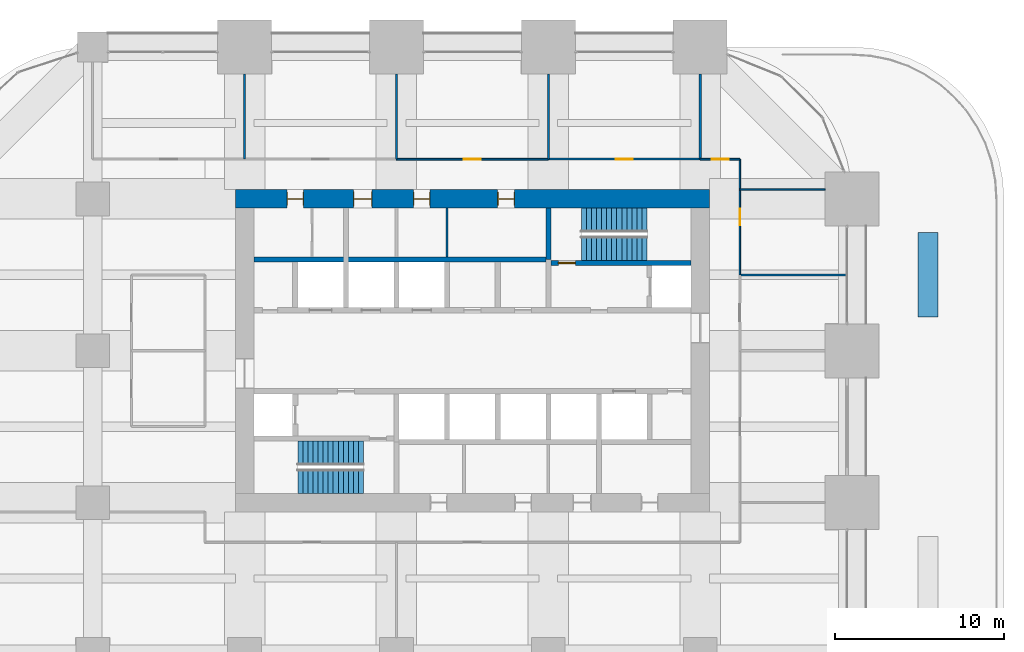
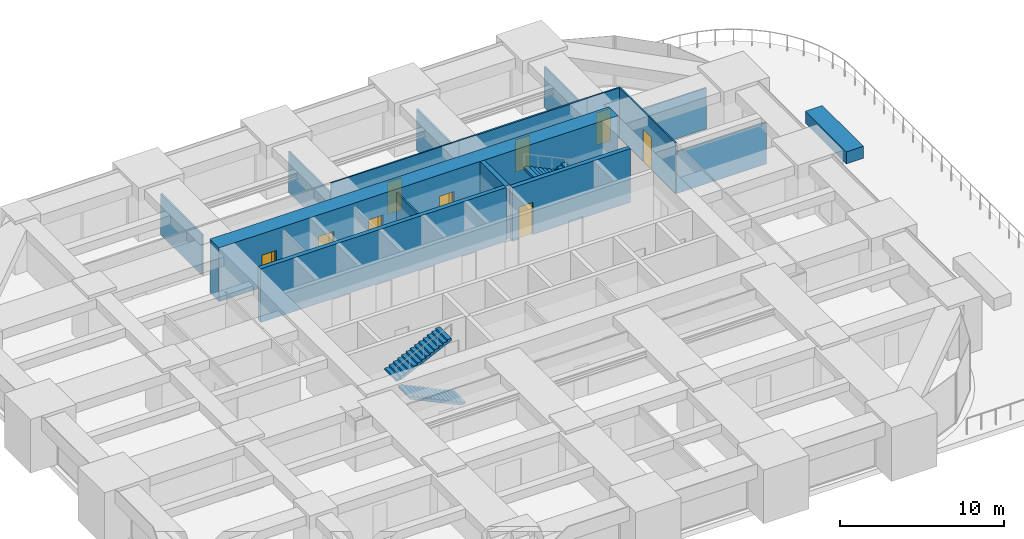
# One storey, part 33 of 35: 16 walls, 9 doors, 4 stair flights, 9 openings, 2 elements without a shape of their own.
"""IFC4 building model written with IfcOpenShell, lengths in metres."""

from ifc_helpers import new_model, si_unit, direction, frame, frame_2d, origin, place, context, subcontext, project, spatial, polyline, rectangle, outline, extrude, material, layer, layer_set, type_object, element, fill, aggregate, save


model = new_model("IFC4")

# Units and contexts
model_context = context("Model", 3, precision=1e-05, world=origin(), true_north=direction((0.0, 1.0)))
body_context = subcontext(model_context, "Body", "Model", "MODEL_VIEW")
ifc_project = project(units=[si_unit("LENGTHUNIT", "METRE"), si_unit("AREAUNIT", "SQUARE_METRE"), si_unit("VOLUMEUNIT", "CUBIC_METRE"), si_unit("PLANEANGLEUNIT", "RADIAN"), si_unit("MASSUNIT", "GRAM", prefix="KILO")], contexts=[model_context])

# Site, building, storey
site_placement = place(None, origin())
site = spatial("IfcSite", under=ifc_project, at=site_placement, CompositionType="ELEMENT")
building_placement = place(site_placement, origin())
building = spatial("IfcBuilding", under=site, at=building_placement, Name="Zorevar Civic Tower", CompositionType="ELEMENT")
storey_placement = place(building_placement, frame((0.0, 0.0, 162.199951171875)))
storey = spatial("IfcBuildingStorey", under=building, at=storey_placement, Name="L39", CompositionType="ELEMENT", Elevation=162.199951171875)

# Wall, openings, doors
ifc_material_1 = material(Name="Concrete C50/60", Category="concrete")
ifc_layer_1 = layer(ifc_material_1, 1.10009765625)
ifc_layer_set_1 = layer_set([ifc_layer_1], Name="Core wall 1100")
wall_type_1 = type_object("IfcWallType", Name="Core wall 1100", PredefinedType="SHEAR", material=ifc_layer_set_1)
wall_1_placement = place(storey_placement, frame((45.550048828125, 36.0, 0.0), z_axis=(0.0, 0.0, 1.0), x_axis=(-1.0, 0.0, 0.0)))
wall_1 = element("IfcWall", 1, at=wall_1_placement, inside=storey, type_object=wall_type_1, Name="Core wall N L39", PredefinedType="SHEAR", context=body_context, shape_type="SweptSolid", body=[
    extrude(rectangle(XDim=28.10009765625, YDim=1.10009765625, at=frame_2d((14.050048828125, 0.0))), origin(), (0.0, 0.0, 1.0), 4.0),
])
opening_1_placement = place(wall_1_placement, frame((11.550048828125, 0.0, 0.0)))
opening_1 = element("IfcOpeningElement", 2, at=opening_1_placement, cuts=wall_1, Name="Opening L39.07", PredefinedType="OPENING", context=body_context, shape_type="SweptSolid", body=[
    extrude(rectangle(XDim=1.0, YDim=2.39990234375, at=frame_2d((0.5, 1.199951171875))), frame((0.0, 0.56005859375, 0.0), z_axis=(0.0, -1.0, 0.0), x_axis=(1.0, 0.0, 0.0)), (0.0, 0.0, 1.0), 1.1201171875),
])
opening_2_placement = place(wall_1_placement, frame((16.550048828125, 0.0, 0.0)))
opening_2 = element("IfcOpeningElement", 3, at=opening_2_placement, cuts=wall_1, Name="Opening L39.08", PredefinedType="OPENING", context=body_context, shape_type="SweptSolid", body=[
    extrude(rectangle(XDim=1.0, YDim=2.39990234375, at=frame_2d((0.5, 1.199951171875))), frame((0.0, 0.56005859375, 0.0), z_axis=(0.0, -1.0, 0.0), x_axis=(1.0, 0.0, 0.0)), (0.0, 0.0, 1.0), 1.1201171875),
])
opening_3_placement = place(wall_1_placement, frame((20.0, 0.0, 0.0)))
opening_3 = element("IfcOpeningElement", 4, at=opening_3_placement, cuts=wall_1, Name="Opening L39.09", PredefinedType="OPENING", context=body_context, shape_type="SweptSolid", body=[
    extrude(rectangle(XDim=1.10009765625, YDim=2.39990234375, at=frame_2d((0.550048828125, 1.199951171875))), frame((0.0, 0.56005859375, 0.0), z_axis=(0.0, -1.0, 0.0), x_axis=(1.0, 0.0, 0.0)), (0.0, 0.0, 1.0), 1.1201171875),
])
opening_4_placement = place(wall_1_placement, frame((24.050048828125, 0.0, 0.0)))
opening_4 = element("IfcOpeningElement", 5, at=opening_4_placement, cuts=wall_1, Name="Opening L39.10", PredefinedType="OPENING", context=body_context, shape_type="SweptSolid", body=[
    extrude(rectangle(XDim=1.0, YDim=2.39990234375, at=frame_2d((0.5, 1.199951171875))), frame((0.0, 0.56005859375, 0.0), z_axis=(0.0, -1.0, 0.0), x_axis=(1.0, 0.0, 0.0)), (0.0, 0.0, 1.0), 1.1201171875),
])
ifc_material_2 = material(Name="Timber door set", Category="wood")
door_type_1 = type_object("IfcDoorType", Name="Door D1 1000x2400", OperationType="SINGLE_SWING_LEFT", PredefinedType="DOOR", material=ifc_material_2)
door_1_placement = place(opening_1_placement, origin())
door_1 = element("IfcDoor", 6, at=door_1_placement, inside=storey, type_object=door_type_1, Name="Door L39 06", OperationType="SINGLE_SWING_RIGHT", OverallHeight=2.39990234375, OverallWidth=1.0, PredefinedType="DOOR", context=body_context, shape_type="SweptSolid", body=[
    extrude(rectangle(XDim=1.0, YDim=2.39990234375, at=frame_2d((0.5, 1.199951171875))), frame((0.0, 0.02490234375, 0.0), z_axis=(0.0, -1.0, 0.0), x_axis=(1.0, 0.0, 0.0)), (0.0, 0.0, 1.0), 0.050048828125),
    extrude(rectangle(XDim=0.04, YDim=2.39990234375, at=frame_2d((0.02001953125, 1.199951171875))), frame((0.0, 0.39990234375, 0.0), z_axis=(0.0, -1.0, 0.0), x_axis=(1.0, 0.0, 0.0)), (0.0, 0.0, 1.0), 0.800048828125),
    extrude(rectangle(XDim=0.04, YDim=2.39990234375, at=frame_2d((0.97998046875, 1.199951171875))), frame((0.0, 0.39990234375, 0.0), z_axis=(0.0, -1.0, 0.0), x_axis=(1.0, 0.0, 0.0)), (0.0, 0.0, 1.0), 0.800048828125),
    extrude(rectangle(XDim=1.0, YDim=0.04, at=frame_2d((0.5, 2.3798828125))), frame((0.0, 0.39990234375, 0.0), z_axis=(0.0, -1.0, 0.0), x_axis=(1.0, 0.0, 0.0)), (0.0, 0.0, 1.0), 0.800048828125),
])
fill(opening_1, door_1)
door_2_placement = place(opening_2_placement, origin())
door_2 = element("IfcDoor", 7, at=door_2_placement, inside=storey, type_object=door_type_1, Name="Door L39 07", OperationType="SINGLE_SWING_LEFT", OverallHeight=2.39990234375, OverallWidth=1.0, PredefinedType="DOOR", context=body_context, shape_type="SweptSolid", body=[
    extrude(rectangle(XDim=1.0, YDim=2.39990234375, at=frame_2d((0.5, 1.199951171875))), frame((0.0, 0.02490234375, 0.0), z_axis=(0.0, -1.0, 0.0), x_axis=(1.0, 0.0, 0.0)), (0.0, 0.0, 1.0), 0.050048828125),
    extrude(rectangle(XDim=0.04, YDim=2.39990234375, at=frame_2d((0.02001953125, 1.199951171875))), frame((0.0, 0.39990234375, 0.0), z_axis=(0.0, -1.0, 0.0), x_axis=(1.0, 0.0, 0.0)), (0.0, 0.0, 1.0), 0.800048828125),
    extrude(rectangle(XDim=0.04, YDim=2.39990234375, at=frame_2d((0.97998046875, 1.199951171875))), frame((0.0, 0.39990234375, 0.0), z_axis=(0.0, -1.0, 0.0), x_axis=(1.0, 0.0, 0.0)), (0.0, 0.0, 1.0), 0.800048828125),
    extrude(rectangle(XDim=1.0, YDim=0.04, at=frame_2d((0.5, 2.3798828125))), frame((0.0, 0.39990234375, 0.0), z_axis=(0.0, -1.0, 0.0), x_axis=(1.0, 0.0, 0.0)), (0.0, 0.0, 1.0), 0.800048828125),
])
fill(opening_2, door_2)
door_3_placement = place(opening_4_placement, origin())
door_3 = element("IfcDoor", 8, at=door_3_placement, inside=storey, type_object=door_type_1, Name="Door L39 09", OperationType="SINGLE_SWING_LEFT", OverallHeight=2.39990234375, OverallWidth=1.0, PredefinedType="DOOR", context=body_context, shape_type="SweptSolid", body=[
    extrude(rectangle(XDim=1.0, YDim=2.39990234375, at=frame_2d((0.5, 1.199951171875))), frame((0.0, 0.02490234375, 0.0), z_axis=(0.0, -1.0, 0.0), x_axis=(1.0, 0.0, 0.0)), (0.0, 0.0, 1.0), 0.050048828125),
    extrude(rectangle(XDim=0.04, YDim=2.39990234375, at=frame_2d((0.02001953125, 1.199951171875))), frame((0.0, 0.39990234375, 0.0), z_axis=(0.0, -1.0, 0.0), x_axis=(1.0, 0.0, 0.0)), (0.0, 0.0, 1.0), 0.800048828125),
    extrude(rectangle(XDim=0.04, YDim=2.39990234375, at=frame_2d((0.97998046875, 1.199951171875))), frame((0.0, 0.39990234375, 0.0), z_axis=(0.0, -1.0, 0.0), x_axis=(1.0, 0.0, 0.0)), (0.0, 0.0, 1.0), 0.800048828125),
    extrude(rectangle(XDim=1.0, YDim=0.04, at=frame_2d((0.5, 2.3798828125))), frame((0.0, 0.39990234375, 0.0), z_axis=(0.0, -1.0, 0.0), x_axis=(1.0, 0.0, 0.0)), (0.0, 0.0, 1.0), 0.800048828125),
])
fill(opening_4, door_3)
ifc_material_3 = material(Name="Timber door set", Category="wood")
door_type_2 = type_object("IfcDoorType", Name="Door D5 1100x2400", OperationType="SINGLE_SWING_LEFT", PredefinedType="DOOR", material=ifc_material_3)
door_4_placement = place(opening_3_placement, origin())
door_4 = element("IfcDoor", 9, at=door_4_placement, inside=storey, type_object=door_type_2, Name="Door L39 08", OperationType="SINGLE_SWING_LEFT", OverallHeight=2.39990234375, OverallWidth=1.10009765625, PredefinedType="DOOR", context=body_context, shape_type="SweptSolid", body=[
    extrude(rectangle(XDim=1.10009765625, YDim=2.39990234375, at=frame_2d((0.550048828125, 1.199951171875))), frame((0.0, 0.02490234375, 0.0), z_axis=(0.0, -1.0, 0.0), x_axis=(1.0, 0.0, 0.0)), (0.0, 0.0, 1.0), 0.050048828125),
    extrude(rectangle(XDim=0.04, YDim=2.39990234375, at=frame_2d((0.02001953125, 1.199951171875))), frame((0.0, 0.43994140625, 0.0), z_axis=(0.0, -1.0, 0.0), x_axis=(1.0, 0.0, 0.0)), (0.0, 0.0, 1.0), 0.880126953125),
    extrude(rectangle(XDim=0.04, YDim=2.39990234375, at=frame_2d((1.080078125, 1.199951171875))), frame((0.0, 0.43994140625, 0.0), z_axis=(0.0, -1.0, 0.0), x_axis=(1.0, 0.0, 0.0)), (0.0, 0.0, 1.0), 0.880126953125),
    extrude(rectangle(XDim=1.10009765625, YDim=0.04, at=frame_2d((0.550048828125, 2.3798828125))), frame((0.0, 0.43994140625, 0.0), z_axis=(0.0, -1.0, 0.0), x_axis=(1.0, 0.0, 0.0)), (0.0, 0.0, 1.0), 0.880126953125),
])
fill(opening_3, door_4)

# Wall
ifc_material_4 = material(Name="Laminated glass in black aluminium frame", Category="aluminium")
ifc_layer_2 = layer(ifc_material_4, 0.10009765625)
ifc_layer_set_2 = layer_set([ifc_layer_2], Name="Glazed partition 100")
wall_type_2 = type_object("IfcWallType", Name="Glazed partition 100", PredefinedType="PARTITIONING", material=ifc_layer_set_2)
wall_2_placement = place(storey_placement, frame((47.35009765625, 36.550048828125, 0.0), z_axis=(0.0, 0.0, 1.0), x_axis=(1.0, 0.0, 0.0)))
element("IfcWall", 10, at=wall_2_placement, inside=storey, type_object=wall_type_2, Name="Glazed partition 100 L39", PredefinedType="PARTITIONING", context=body_context, shape_type="SweptSolid", body=[
    extrude(rectangle(XDim=5.0498046875, YDim=0.10009765625, at=frame_2d((2.52490234375, 0.0))), origin(), (0.0, 0.0, 1.0), 3.050048828125),
])

# Wall, opening, door
wall_3_placement = place(storey_placement, frame((27.0, 38.35009765625, 0.0), z_axis=(0.0, 0.0, 1.0), x_axis=(1.0, 0.0, 0.0)))
wall_3 = element("IfcWall", 11, at=wall_3_placement, inside=storey, type_object=wall_type_2, Name="Glazed partition 100 L39", PredefinedType="PARTITIONING", context=body_context, shape_type="SweptSolid", body=[
    extrude(rectangle(XDim=9.0, YDim=0.10009765625, at=frame_2d((4.5, 0.0))), origin(), (0.0, 0.0, 1.0), 3.75),
])
opening_5_placement = place(wall_3_placement, frame((4.0, 0.0, 0.0)))
opening_5 = element("IfcOpeningElement", 12, at=opening_5_placement, cuts=wall_3, Name="Opening L39.27", PredefinedType="OPENING", context=body_context, shape_type="SweptSolid", body=[
    extrude(rectangle(XDim=1.0, YDim=2.39990234375, at=frame_2d((0.5, 1.199951171875))), frame((0.0, 0.06005859375, 0.0), z_axis=(0.0, -1.0, 0.0), x_axis=(1.0, 0.0, 0.0)), (0.0, 0.0, 1.0), 0.1201171875),
])
ifc_material_5 = material(Name="Timber door set", Category="wood")
door_type_3 = type_object("IfcDoorType", Name="Glazed door GD1 1000x2400", OperationType="SINGLE_SWING_LEFT", PredefinedType="DOOR", material=ifc_material_5)
door_5_placement = place(opening_5_placement, origin())
door_5 = element("IfcDoor", 13, at=door_5_placement, inside=storey, type_object=door_type_3, Name="Door L39 D1", OperationType="SINGLE_SWING_RIGHT", OverallHeight=2.39990234375, OverallWidth=1.0, PredefinedType="DOOR", context=body_context, shape_type="SweptSolid", body=[
    extrude(rectangle(XDim=1.0, YDim=2.39990234375, at=frame_2d((0.5, 1.199951171875))), frame((0.0, 0.02001953125, 0.0), z_axis=(0.0, -1.0, 0.0), x_axis=(1.0, 0.0, 0.0)), (0.0, 0.0, 1.0), 0.0400390625),
])
fill(opening_5, door_5)

wall_4_placement = place(storey_placement, frame((45.0, 38.35009765625, 0.0), z_axis=(0.0, 0.0, 1.0), x_axis=(1.0, 0.0, 0.0)))
wall_4 = element("IfcWall", 14, at=wall_4_placement, inside=storey, type_object=wall_type_2, Name="Glazed partition 100 L39", PredefinedType="PARTITIONING", context=body_context, shape_type="SweptSolid", body=[
    extrude(rectangle(XDim=2.35009765625, YDim=0.10009765625, at=frame_2d((1.175048828125, 0.0))), origin(), (0.0, 0.0, 1.0), 3.75),
])
opening_6_placement = place(wall_4_placement, frame((0.675048828125, 0.0, 0.0)))
opening_6 = element("IfcOpeningElement", 15, at=opening_6_placement, cuts=wall_4, Name="Opening L39.28", PredefinedType="OPENING", context=body_context, shape_type="SweptSolid", body=[
    extrude(rectangle(XDim=1.0, YDim=2.39990234375, at=frame_2d((0.5, 1.199951171875))), frame((0.0, 0.06005859375, 0.0), z_axis=(0.0, -1.0, 0.0), x_axis=(1.0, 0.0, 0.0)), (0.0, 0.0, 1.0), 0.1201171875),
])
door_6_placement = place(opening_6_placement, origin())
door_6 = element("IfcDoor", 16, at=door_6_placement, inside=storey, type_object=door_type_3, Name="Door L39 D1", OperationType="SINGLE_SWING_RIGHT", OverallHeight=2.39990234375, OverallWidth=1.0, PredefinedType="DOOR", context=body_context, shape_type="SweptSolid", body=[
    extrude(rectangle(XDim=1.0, YDim=2.39990234375, at=frame_2d((0.5, 1.199951171875))), frame((0.0, 0.02001953125, 0.0), z_axis=(0.0, -1.0, 0.0), x_axis=(1.0, 0.0, 0.0)), (0.0, 0.0, 1.0), 0.0400390625),
])
fill(opening_6, door_6)

wall_5_placement = place(storey_placement, frame((47.35009765625, 31.5, 0.0), z_axis=(0.0, 0.0, 1.0), x_axis=(0.0, 1.0, 0.0)))
wall_5 = element("IfcWall", 17, at=wall_5_placement, inside=storey, type_object=wall_type_2, Name="Glazed partition 100 L39", PredefinedType="PARTITIONING", context=body_context, shape_type="SweptSolid", body=[
    extrude(rectangle(XDim=6.85009765625, YDim=0.10009765625, at=frame_2d((3.425048828125, 0.0))), origin(), (0.0, 0.0, 1.0), 3.75),
])
opening_7_placement = place(wall_5_placement, frame((2.925048828125, 0.0, 0.0)))
opening_7 = element("IfcOpeningElement", 18, at=opening_7_placement, cuts=wall_5, Name="Opening L39.33", PredefinedType="OPENING", context=body_context, shape_type="SweptSolid", body=[
    extrude(rectangle(XDim=1.0, YDim=2.39990234375, at=frame_2d((0.5, 1.199951171875))), frame((0.0, 0.06005859375, 0.0), z_axis=(0.0, -1.0, 0.0), x_axis=(1.0, 0.0, 0.0)), (0.0, 0.0, 1.0), 0.1201171875),
])
door_7_placement = place(opening_7_placement, origin())
door_7 = element("IfcDoor", 19, at=door_7_placement, inside=storey, type_object=door_type_3, Name="Door L39 D1", OperationType="SINGLE_SWING_RIGHT", OverallHeight=2.39990234375, OverallWidth=1.0, PredefinedType="DOOR", context=body_context, shape_type="SweptSolid", body=[
    extrude(rectangle(XDim=1.0, YDim=2.39990234375, at=frame_2d((0.5, 1.199951171875))), frame((0.0, 0.02001953125, 0.0), z_axis=(0.0, -1.0, 0.0), x_axis=(1.0, 0.0, 0.0)), (0.0, 0.0, 1.0), 0.0400390625),
])
fill(opening_7, door_7)

ifc_material_6 = material(Name="Concrete C40/50", Category="concrete")
ifc_layer_3 = layer(ifc_material_6, 0.300048828125)
ifc_layer_set_3 = layer_set([ifc_layer_3], Name="Inner core wall 300")
wall_type_3 = type_object("IfcWallType", Name="Inner core wall 300", PredefinedType="SHEAR", material=ifc_layer_set_3)
wall_6_placement = place(storey_placement, frame((36.14990234375, 32.199951171875, 0.0), z_axis=(0.0, 0.0, 1.0), x_axis=(1.0, 0.0, 0.0)))
wall_6 = element("IfcWall", 20, at=wall_6_placement, inside=storey, type_object=wall_type_3, Name="Inner core wall N00 L39", PredefinedType="SHEAR", context=body_context, shape_type="SweptSolid", body=[
    extrude(rectangle(XDim=8.300048828125, YDim=0.300048828125, at=frame_2d((4.14990234375, 0.0))), origin(), (0.0, 0.0, 1.0), 4.0),
])
opening_8_placement = place(wall_6_placement, frame((0.449951171875, 0.0, 0.0)))
opening_8 = element("IfcOpeningElement", 21, at=opening_8_placement, cuts=wall_6, Name="Opening L39.12", PredefinedType="OPENING", context=body_context, shape_type="SweptSolid", body=[
    extrude(rectangle(XDim=1.0, YDim=2.39990234375, at=frame_2d((0.5, 1.199951171875))), frame((0.0, 0.159912109375, 0.0), z_axis=(0.0, -1.0, 0.0), x_axis=(1.0, 0.0, 0.0)), (0.0, 0.0, 1.0), 0.320068359375),
])
ifc_material_7 = material(Name="Steel door set", Category="steel")
door_type_4 = type_object("IfcDoorType", Name="Fire door FD1 1000x2400", OperationType="SINGLE_SWING_LEFT", PredefinedType="DOOR", material=ifc_material_7)
door_8_placement = place(opening_8_placement, origin())
door_8 = element("IfcDoor", 22, at=door_8_placement, inside=storey, type_object=door_type_4, Name="Door L39 11", OperationType="SINGLE_SWING_RIGHT", OverallHeight=2.39990234375, OverallWidth=1.0, PredefinedType="DOOR", context=body_context, shape_type="SweptSolid", body=[
    extrude(rectangle(XDim=1.0, YDim=2.39990234375, at=frame_2d((0.5, 1.199951171875))), frame((0.0, 0.030029296875, 0.0), z_axis=(0.0, -1.0, 0.0), x_axis=(1.0, 0.0, 0.0)), (0.0, 0.0, 1.0), 0.06005859375),
])
fill(opening_8, door_8)

# Walls
wall_7_placement = place(storey_placement, frame((36.0, 32.39990234375, 0.0), z_axis=(0.0, 0.0, 1.0), x_axis=(0.0, 1.0, 0.0)))
element("IfcWall", 23, at=wall_7_placement, inside=storey, type_object=wall_type_3, Name="Inner core wall N01 L39", PredefinedType="SHEAR", context=body_context, shape_type="SweptSolid", body=[
    extrude(rectangle(XDim=3.050048828125, YDim=0.300048828125, at=frame_2d((1.52490234375, 0.0))), origin(), (0.0, 0.0, 1.0), 4.0),
])
wall_8_placement = place(storey_placement, frame((18.550048828125, 32.39990234375, 0.0), z_axis=(0.0, 0.0, 1.0), x_axis=(1.0, 0.0, 0.0)))
element("IfcWall", 24, at=wall_8_placement, inside=storey, type_object=wall_type_3, Name="Inner core wall N04 L39", PredefinedType="SHEAR", context=body_context, shape_type="SweptSolid", body=[
    extrude(rectangle(XDim=17.300048828125, YDim=0.300048828125, at=frame_2d((8.64990234375, 0.0))), origin(), (0.0, 0.0, 1.0), 4.0),
])
ifc_material_8 = material(Name="Gypsum board on steel studs", Category="steel")
ifc_layer_4 = layer(ifc_material_8, 0.1201171875)
ifc_layer_set_4 = layer_set([ifc_layer_4], Name="Partition 120")
wall_type_4 = type_object("IfcWallType", Name="Partition 120", PredefinedType="PARTITIONING", material=ifc_layer_set_4)
wall_9_placement = place(storey_placement, frame((47.35009765625, 31.5, 0.0), z_axis=(0.0, 0.0, 1.0), x_axis=(1.0, 0.0, 0.0)))
element("IfcWall", 25, at=wall_9_placement, inside=storey, type_object=wall_type_4, Name="Partition 120 L39", PredefinedType="PARTITIONING", context=body_context, shape_type="SweptSolid", body=[
    extrude(rectangle(XDim=6.33984375, YDim=0.1201171875, at=frame_2d((3.169921875, 0.0))), origin(), (0.0, 0.0, 1.0), 3.10009765625),
])

# Wall, opening, door
wall_10_placement = place(storey_placement, frame((36.0, 38.35009765625, 0.0), z_axis=(0.0, 0.0, 1.0), x_axis=(1.0, 0.0, 0.0)))
wall_10 = element("IfcWall", 26, at=wall_10_placement, inside=storey, type_object=wall_type_4, Name="Partition 120 L39", PredefinedType="PARTITIONING", context=body_context, shape_type="SweptSolid", body=[
    extrude(rectangle(XDim=9.0, YDim=0.1201171875, at=frame_2d((4.5, 0.0))), origin(), (0.0, 0.0, 1.0), 3.75),
])
opening_9_placement = place(wall_10_placement, frame((4.0, 0.0, 0.0)))
opening_9 = element("IfcOpeningElement", 27, at=opening_9_placement, cuts=wall_10, Name="Opening L39.26", PredefinedType="OPENING", context=body_context, shape_type="SweptSolid", body=[
    extrude(rectangle(XDim=1.0, YDim=2.39990234375, at=frame_2d((0.5, 1.199951171875))), frame((0.0, 0.070068359375, 0.0), z_axis=(0.0, -1.0, 0.0), x_axis=(1.0, 0.0, 0.0)), (0.0, 0.0, 1.0), 0.14013671875),
])
door_9_placement = place(opening_9_placement, origin())
door_9 = element("IfcDoor", 28, at=door_9_placement, inside=storey, type_object=door_type_1, Name="Door L39 D1", OperationType="SINGLE_SWING_LEFT", OverallHeight=2.39990234375, OverallWidth=1.0, PredefinedType="DOOR", context=body_context, shape_type="SweptSolid", body=[
    extrude(rectangle(XDim=1.0, YDim=2.39990234375, at=frame_2d((0.5, 1.199951171875))), frame((0.0, 0.02490234375, 0.0), z_axis=(0.0, -1.0, 0.0), x_axis=(1.0, 0.0, 0.0)), (0.0, 0.0, 1.0), 0.050048828125),
])
fill(opening_9, door_9)

# Walls
for number, where, z_axis, x_axis, name in (
    (29, (18.0, 38.35009765625, 0.0), (0.0, 0.0, 1.0), (0.0, 1.0, 0.0), "Partition 120 L39"),
    (30, (27.0, 38.35009765625, 0.0), (0.0, 0.0, 1.0), (0.0, 1.0, 0.0), "Partition 120 L39"),
    (31, (36.0, 38.35009765625, 0.0), (0.0, 0.0, 1.0), (0.0, 1.0, 0.0), "Partition 120 L39"),
    (32, (45.0, 38.35009765625, 0.0), (0.0, 0.0, 1.0), (0.0, 1.0, 0.0), "Partition 120 L39"),
):
    element("IfcWall", number, at=place(storey_placement, frame(where, z_axis=z_axis, x_axis=x_axis)), inside=storey, type_object=wall_type_4, Name=name, PredefinedType="PARTITIONING", context=body_context, shape_type="SweptSolid", body=[
        extrude(rectangle(XDim=5.0498046875, YDim=0.1201171875, at=frame_2d((2.52490234375, 0.0))), origin(), (0.0, 0.0, 1.0), 3.050048828125),
    ])
wall_11_placement = place(storey_placement, frame((30.0, 32.550048828125, 0.0), z_axis=(0.0, 0.0, 1.0), x_axis=(0.0, 1.0, 0.0)))
element("IfcWall", 33, at=wall_11_placement, inside=storey, type_object=wall_type_4, Name="Partition L39", PredefinedType="PARTITIONING", context=body_context, shape_type="SweptSolid", body=[
    extrude(rectangle(XDim=2.89990234375, YDim=0.1201171875, at=frame_2d((1.449951171875, 0.0))), origin(), (0.0, 0.0, 1.0), 3.75),
])
ifc_material_9 = material(Name="Precast concrete planter", Category="concrete")
ifc_layer_5 = layer(ifc_material_9, 1.199951171875)
ifc_layer_set_5 = layer_set([ifc_layer_5], Name="Planter PL1 1200")
wall_type_5 = type_object("IfcWallType", Name="Planter PL1 1200", PredefinedType="USERDEFINED", material=ifc_layer_set_5)
wall_12_placement = place(storey_placement, frame((58.5, 29.0, 0.0), z_axis=(0.0, 0.0, 1.0), x_axis=(0.0, 1.0, 0.0)))
element("IfcWall", 34, at=wall_12_placement, inside=storey, type_object=wall_type_5, Name="Planter L39", ObjectType="PLANTER", PredefinedType="USERDEFINED", context=body_context, shape_type="SweptSolid", body=[
    extrude(rectangle(XDim=5.0, YDim=1.199951171875, at=frame_2d((2.5, 0.0))), origin(), (0.0, 0.0, 1.0), 0.900146484375),
])

# Stair, stair flights
ifc_material_10 = material(Name="Precast concrete C40/50", Category="concrete")
stair_type = type_object("IfcStairType", Name="Stair ST 28R", PredefinedType="HALF_TURN_STAIR", material=ifc_material_10)
stair_1_placement = place(storey_placement, origin())
stair_1 = element("IfcStair", 35, at=stair_1_placement, inside=storey, type_object=stair_type, Name="Stair ST1 L39", PredefinedType="HALF_TURN_STAIR")
ifc_material_11 = material(Name="Precast concrete C40/50", Category="concrete")
stair_flight_type = type_object("IfcStairFlightType", Name="Stair flight", PredefinedType="STRAIGHT", material=ifc_material_11)
stair_flight_1_placement = place(storey_placement, frame((25.050048828125, 19.262451171875, 0.0), z_axis=(0.0, 0.0, 1.0), x_axis=(-1.0, 0.0, 0.0)))
stair_flight_1 = element("IfcStairFlight", 36, at=stair_flight_1_placement, type_object=stair_flight_type, Name="ST1 flight 1", NumberOfRisers=14, NumberOfTreads=13, PredefinedType="STRAIGHT", RiserHeight=0.142857143, TreadLength=0.3, context=body_context, shape_type="SweptSolid", body=[
    extrude(outline(polyline([(0.0, 0.0), (0.0, 0.142822265625), (0.300048828125, 0.142822265625), (0.300048828125, 0.28564453125), (0.60009765625, 0.28564453125), (0.60009765625, 0.428466796875), (0.89990234375, 0.428466796875), (0.89990234375, 0.571533203125), (1.199951171875, 0.571533203125), (1.199951171875, 0.71435546875), (1.5, 0.71435546875), (1.5, 0.857177734375), (1.800048828125, 0.857177734375), (1.800048828125, 1.0), (2.10009765625, 1.0), (2.10009765625, 1.142822265625), (2.39990234375, 1.142822265625), (2.39990234375, 1.28564453125), (2.699951171875, 1.28564453125), (2.699951171875, 1.428466796875), (3.0, 1.428466796875), (3.0, 1.571533203125), (3.300048828125, 1.571533203125), (3.300048828125, 1.71435546875), (3.60009765625, 1.71435546875), (3.60009765625, 1.857177734375), (3.89990234375, 1.857177734375), (3.89990234375, 2.0), (3.89990234375, 1.691162109375), (0.3486328125, 0.0), (0.0, 0.0)])), frame((0.0, 0.71240234375, 0.0), z_axis=(0.0, -1.0, 0.0), x_axis=(1.0, 0.0, 0.0)), (0.0, 0.0, 1.0), 1.425048828125),
])
stair_flight_2_placement = place(storey_placement, frame((21.14990234375, 20.9375, 2.0), z_axis=(0.0, 0.0, 1.0), x_axis=(1.0, 0.0, 0.0)))
stair_flight_2 = element("IfcStairFlight", 37, at=stair_flight_2_placement, type_object=stair_flight_type, Name="ST1 flight 2", NumberOfRisers=14, NumberOfTreads=13, PredefinedType="STRAIGHT", RiserHeight=0.142857143, TreadLength=0.3, context=body_context, shape_type="SweptSolid", body=[
    extrude(outline(polyline([(0.0, 0.0), (0.0, 0.142822265625), (0.300048828125, 0.142822265625), (0.300048828125, 0.28564453125), (0.60009765625, 0.28564453125), (0.60009765625, 0.428466796875), (0.89990234375, 0.428466796875), (0.89990234375, 0.571533203125), (1.199951171875, 0.571533203125), (1.199951171875, 0.71435546875), (1.5, 0.71435546875), (1.5, 0.857177734375), (1.800048828125, 0.857177734375), (1.800048828125, 1.0), (2.10009765625, 1.0), (2.10009765625, 1.142822265625), (2.39990234375, 1.142822265625), (2.39990234375, 1.28564453125), (2.699951171875, 1.28564453125), (2.699951171875, 1.428466796875), (3.0, 1.428466796875), (3.0, 1.571533203125), (3.300048828125, 1.571533203125), (3.300048828125, 1.71435546875), (3.60009765625, 1.71435546875), (3.60009765625, 1.857177734375), (3.89990234375, 1.857177734375), (3.89990234375, 2.0), (3.89990234375, 1.691162109375), (0.3486328125, 0.0), (0.0, 0.0)])), frame((0.0, 0.71240234375, 0.0), z_axis=(0.0, -1.0, 0.0), x_axis=(1.0, 0.0, 0.0)), (0.0, 0.0, 1.0), 1.425048828125),
])
aggregate(stair_1, [stair_flight_1, stair_flight_2])

stair_2_placement = place(storey_placement, origin())
stair_2 = element("IfcStair", 38, at=stair_2_placement, inside=storey, type_object=stair_type, Name="Stair ST2 L39", PredefinedType="HALF_TURN_STAIR")
stair_flight_3_placement = place(storey_placement, frame((37.949951171875, 34.737548828125, 0.0), z_axis=(0.0, 0.0, 1.0), x_axis=(1.0, 0.0, 0.0)))
stair_flight_3 = element("IfcStairFlight", 39, at=stair_flight_3_placement, type_object=stair_flight_type, Name="ST2 flight 1", NumberOfRisers=14, NumberOfTreads=13, PredefinedType="STRAIGHT", RiserHeight=0.142857143, TreadLength=0.3, context=body_context, shape_type="SweptSolid", body=[
    extrude(outline(polyline([(0.0, 0.0), (0.0, 0.142822265625), (0.300048828125, 0.142822265625), (0.300048828125, 0.28564453125), (0.60009765625, 0.28564453125), (0.60009765625, 0.428466796875), (0.89990234375, 0.428466796875), (0.89990234375, 0.571533203125), (1.199951171875, 0.571533203125), (1.199951171875, 0.71435546875), (1.5, 0.71435546875), (1.5, 0.857177734375), (1.800048828125, 0.857177734375), (1.800048828125, 1.0), (2.10009765625, 1.0), (2.10009765625, 1.142822265625), (2.39990234375, 1.142822265625), (2.39990234375, 1.28564453125), (2.699951171875, 1.28564453125), (2.699951171875, 1.428466796875), (3.0, 1.428466796875), (3.0, 1.571533203125), (3.300048828125, 1.571533203125), (3.300048828125, 1.71435546875), (3.60009765625, 1.71435546875), (3.60009765625, 1.857177734375), (3.89990234375, 1.857177734375), (3.89990234375, 2.0), (3.89990234375, 1.691162109375), (0.3486328125, 0.0), (0.0, 0.0)])), frame((0.0, 0.71240234375, 0.0), z_axis=(0.0, -1.0, 0.0), x_axis=(1.0, 0.0, 0.0)), (0.0, 0.0, 1.0), 1.425048828125),
])
stair_flight_4_placement = place(storey_placement, frame((41.85009765625, 33.0625, 2.0), z_axis=(0.0, 0.0, 1.0), x_axis=(-1.0, 0.0, 0.0)))
stair_flight_4 = element("IfcStairFlight", 40, at=stair_flight_4_placement, type_object=stair_flight_type, Name="ST2 flight 2", NumberOfRisers=14, NumberOfTreads=13, PredefinedType="STRAIGHT", RiserHeight=0.142857143, TreadLength=0.3, context=body_context, shape_type="SweptSolid", body=[
    extrude(outline(polyline([(0.0, 0.0), (0.0, 0.142822265625), (0.300048828125, 0.142822265625), (0.300048828125, 0.28564453125), (0.60009765625, 0.28564453125), (0.60009765625, 0.428466796875), (0.89990234375, 0.428466796875), (0.89990234375, 0.571533203125), (1.199951171875, 0.571533203125), (1.199951171875, 0.71435546875), (1.5, 0.71435546875), (1.5, 0.857177734375), (1.800048828125, 0.857177734375), (1.800048828125, 1.0), (2.10009765625, 1.0), (2.10009765625, 1.142822265625), (2.39990234375, 1.142822265625), (2.39990234375, 1.28564453125), (2.699951171875, 1.28564453125), (2.699951171875, 1.428466796875), (3.0, 1.428466796875), (3.0, 1.571533203125), (3.300048828125, 1.571533203125), (3.300048828125, 1.71435546875), (3.60009765625, 1.71435546875), (3.60009765625, 1.857177734375), (3.89990234375, 1.857177734375), (3.89990234375, 2.0), (3.89990234375, 1.691162109375), (0.3486328125, 0.0), (0.0, 0.0)])), frame((0.0, 0.71240234375, 0.0), z_axis=(0.0, -1.0, 0.0), x_axis=(1.0, 0.0, 0.0)), (0.0, 0.0, 1.0), 1.425048828125),
])
aggregate(stair_2, [stair_flight_3, stair_flight_4])

save(model, "model.ifc")
